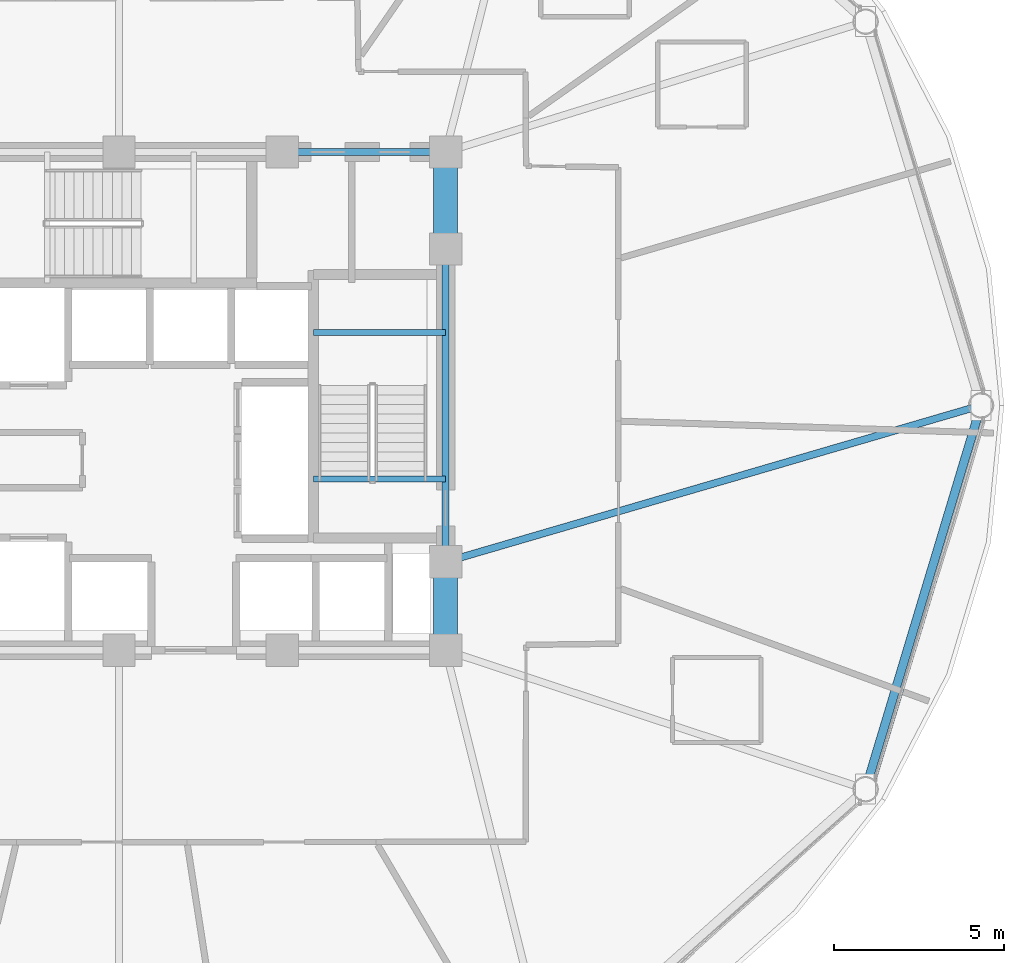
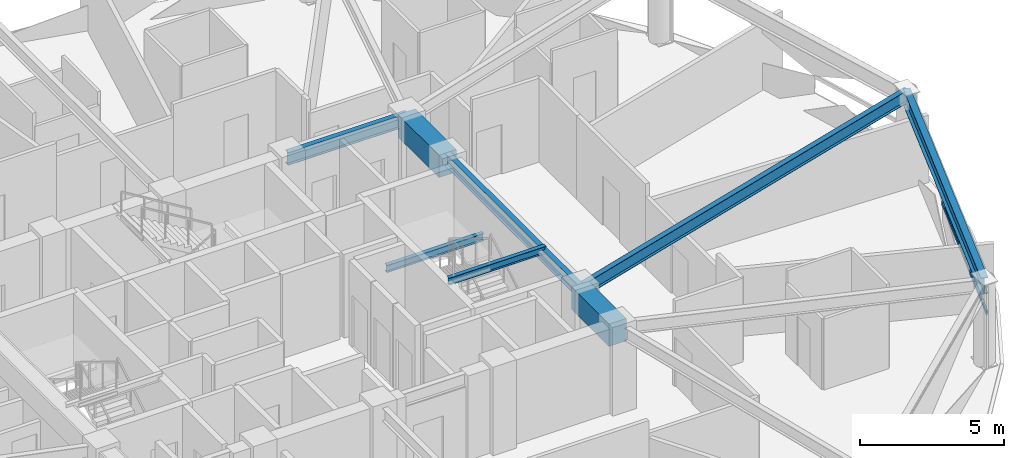
# One storey, part 12 of 31: 8 beams, 1 member, 1 element without a shape of its own.
"""IFC4 building model written with IfcOpenShell, lengths in metres."""

from ifc_helpers import new_model, si_unit, direction, frame, origin, origin_2d, place, context, subcontext, project, spatial, rectangle, hollow_rectangle, i_section, extrude, material, layer, layer_set, material_profile, profile_set, type_object, element, aggregate, save


model = new_model("IFC4")

# Units and contexts
model_context = context("Model", 3, precision=1e-05, world=origin(), true_north=direction((0.0, 1.0)))
body_context = subcontext(model_context, "Body", "Model", "MODEL_VIEW")
ifc_project = project(units=[si_unit("LENGTHUNIT", "METRE"), si_unit("AREAUNIT", "SQUARE_METRE"), si_unit("VOLUMEUNIT", "CUBIC_METRE"), si_unit("PLANEANGLEUNIT", "RADIAN"), si_unit("MASSUNIT", "GRAM", prefix="KILO")], contexts=[model_context])

# Site, building, storey
site_placement = place(None, origin())
site = spatial("IfcSite", under=ifc_project, at=site_placement, CompositionType="ELEMENT")
building_placement = place(site_placement, origin())
building = spatial("IfcBuilding", under=site, at=building_placement, Name="Vantalir Tower", CompositionType="ELEMENT")
storey_placement = place(building_placement, frame((0.0, 0.0, 115.949951171875)))
storey = spatial("IfcBuildingStorey", under=building, at=storey_placement, Name="L28", CompositionType="ELEMENT", Elevation=115.949951171875)

# Beams
ifc_material_1 = material(Name="Concrete C60/75", Category="concrete")
ifc_material_profile_1 = material_profile(ifc_material_1, rectangle(XDim=0.699951171875, YDim=0.949951171875, at=origin_2d()), Name="Concrete C60/75")
ifc_profile_set_1 = profile_set([ifc_material_profile_1], Name="Concrete C60/75")
beam_type_1 = type_object("IfcBeamType", Name="BM-CB-700x950", PredefinedType="USERDEFINED", material=ifc_profile_set_1)
beam_1_placement = place(storey_placement, frame((41.10009765625, 17.800048828125, 3.094970703125), z_axis=(0.0, 1.0, 0.0), x_axis=(-1.0, 0.0, 0.0)))
element("IfcBeam", 1, at=beam_1_placement, inside=storey, type_object=beam_type_1, Name="L28 Core Coupling Girder 05", ObjectType="GIRDER", PredefinedType="USERDEFINED", context=body_context, shape_type="SweptSolid", body=[
    extrude(rectangle(XDim=0.699951171875, YDim=0.949951171875, at=origin_2d()), origin(), (0.0, 0.0, 1.0), 2.599853515625),
])
beam_2_placement = place(storey_placement, frame((41.10009765625, 29.60009765625, 3.094970703125), z_axis=(0.0, 1.0, 0.0), x_axis=(-1.0, 0.0, 0.0)))
element("IfcBeam", 2, at=beam_2_placement, inside=storey, type_object=beam_type_1, Name="L28 Core Coupling Girder 07", ObjectType="GIRDER", PredefinedType="USERDEFINED", context=body_context, shape_type="SweptSolid", body=[
    extrude(rectangle(XDim=0.699951171875, YDim=0.949951171875, at=origin_2d()), origin(), (0.0, 0.0, 1.0), 2.849853515625),
])
ifc_material_2 = material(Name="Steel S355", Category="steel")
ifc_material_profile_2 = material_profile(ifc_material_2, i_section(OverallWidth=0.166015625, OverallDepth=0.306884765625, WebThickness=0.006591796875, FlangeThickness=0.01171875, at=origin_2d()), Name="Steel S355")
ifc_profile_set_2 = profile_set([ifc_material_profile_2], Name="Steel S355")
beam_type_2 = type_object("IfcBeamType", Name="BM-JS-305x165", PredefinedType="JOIST", material=ifc_profile_set_2)
for number, where, z_axis, x_axis, name in (
    (3, (37.2099609375, 22.8349609375, 3.59716796875), (1.0, 0.0, 0.0), (0.0, 1.0, 0.0), "L29 Stair ST2 Well Nosing Trimmer Beam"),
    (4, (37.2099609375, 27.14501953125, 1.52197265625), (1.0, 0.0, 0.0), (0.0, 1.0, 0.0), "L28 Stair ST2 Half-Landing Support Beam"),
):
    element("IfcBeam", number, at=place(storey_placement, frame(where, z_axis=z_axis, x_axis=x_axis)), inside=storey, type_object=beam_type_2, Name=name, PredefinedType="JOIST", context=body_context, shape_type="SweptSolid", body=[
        extrude(i_section(OverallWidth=0.166015625, OverallDepth=0.306884765625, WebThickness=0.006591796875, FlangeThickness=0.01171875, at=origin_2d()), origin(), (0.0, 0.0, 1.0), 3.89013671875),
    ])
ifc_material_profile_3 = material_profile(ifc_material_2, i_section(OverallWidth=0.2109375, OverallDepth=0.5390625, WebThickness=0.01171875, FlangeThickness=0.018798828125, at=origin_2d()), Name="Steel S355")
ifc_profile_set_3 = profile_set([ifc_material_profile_3], Name="Steel S355")
beam_type_3 = type_object("IfcBeamType", Name="BM-RB-533x210", PredefinedType="BEAM", material=ifc_profile_set_3)
beam_3_placement = place(storey_placement, frame((41.10009765625, 20.39990234375, 3.300048828125), z_axis=(0.0, 1.0, 0.0), x_axis=(-1.0, 0.0, 0.0)))
element("IfcBeam", 5, at=beam_3_placement, inside=storey, type_object=beam_type_3, Name="L28 Core Coupling Girder 06", PredefinedType="BEAM", context=body_context, shape_type="SweptSolid", body=[
    extrude(i_section(OverallWidth=0.2109375, OverallDepth=0.5390625, WebThickness=0.01171875, FlangeThickness=0.018798828125, at=origin_2d()), origin(), (0.0, 0.0, 1.0), 9.2001953125),
])
beam_4_placement = place(storey_placement, frame((41.10009765625, 32.449951171875, 3.300048828125), z_axis=(-1.0, 0.0, 0.0), x_axis=(0.0, -1.0, 0.0)))
element("IfcBeam", 6, at=beam_4_placement, inside=storey, type_object=beam_type_3, Name="L28 Core Coupling Girder 08", PredefinedType="BEAM", context=body_context, shape_type="SweptSolid", body=[
    extrude(i_section(OverallWidth=0.2109375, OverallDepth=0.5390625, WebThickness=0.01171875, FlangeThickness=0.018798828125, at=origin_2d()), origin(), (0.0, 0.0, 1.0), 4.800048828125),
])
beam_5_placement = place(storey_placement, frame((56.840087890625, 25.0, 3.300048828125), z_axis=(-0.959847952894, -0.280520778775, 0.0), x_axis=(0.280520778775, -0.959847952894, 0.0)))
element("IfcBeam", 7, at=beam_5_placement, inside=storey, type_object=beam_type_3, Name="L28 Radial Floor Beam 01", PredefinedType="BEAM", context=body_context, shape_type="SweptSolid", body=[
    extrude(i_section(OverallWidth=0.2109375, OverallDepth=0.5390625, WebThickness=0.01171875, FlangeThickness=0.018798828125, at=origin_2d()), origin(), (0.0, 0.0, 1.0), 16.3984375),
])
ifc_material_3 = material(Name="Steel S460", Category="steel")
ifc_material_profile_4 = material_profile(ifc_material_3, i_section(OverallWidth=0.256103515625, OverallDepth=0.693115234375, WebThickness=0.014404296875, FlangeThickness=0.023681640625, at=origin_2d()), Name="Steel S460")
ifc_profile_set_4 = profile_set([ifc_material_profile_4], Name="Steel S460")
beam_type_4 = type_object("IfcBeamType", Name="BM-RG-686x254", PredefinedType="USERDEFINED", material=ifc_profile_set_4)
beam_6_placement = place(storey_placement, frame((53.445068359375, 13.717041015625, 3.22314453125), z_axis=(0.288136680777, 0.957589292542, 0.0), x_axis=(-0.957589292542, 0.288136680777, 0.0)))
element("IfcBeam", 8, at=beam_6_placement, inside=storey, type_object=beam_type_4, Name="L28 Circumferential Ring Girder 12", ObjectType="GIRDER", PredefinedType="USERDEFINED", context=body_context, shape_type="SweptSolid", body=[
    extrude(i_section(OverallWidth=0.256103515625, OverallDepth=0.693115234375, WebThickness=0.014404296875, FlangeThickness=0.023681640625, at=origin_2d()), origin(), (0.0, 0.0, 1.0), 11.78271484375),
])

# Curtain wall, member
ifc_material_4 = material(Name="Champagne-silver PVDF aluminium and double-silver Low-E glass", Category="aluminium")
ifc_layer = layer(ifc_material_4, 0.199951171875)
ifc_layer_set = layer_set([ifc_layer], Name="Champagne-silver PVDF aluminium and double-silver Low-E glass")
curtain_wall_type = type_object("IfcCurtainWallType", Name="CW-DIAMOND-Z2", PredefinedType="USERDEFINED", material=ifc_layer_set)
curtain_wall_placement = place(storey_placement, origin())
curtain_wall = element("IfcCurtainWall", 9, at=curtain_wall_placement, inside=storey, type_object=curtain_wall_type, Name="L28 Quilted Pyramid-Diamond Curtain Wall S12", ObjectType="UNITISED CURTAIN WALL", PredefinedType="USERDEFINED")
ifc_material_5 = material(Name="Champagne-silver PVDF aluminium 6063-T6", Category="aluminium")
ifc_material_profile_5 = material_profile(ifc_material_5, hollow_rectangle(XDim=0.074951171875, YDim=0.159912109375, WallThickness=0.00390625, at=origin_2d()), Name="Champagne-silver PVDF aluminium 6063-T6")
ifc_profile_set_5 = profile_set([ifc_material_profile_5], Name="Champagne-silver PVDF aluminium 6063-T6")
member_type = type_object("IfcMemberType", Name="CWT-160x75", PredefinedType="USERDEFINED", material=ifc_profile_set_5)
member_placement = place(storey_placement, frame((53.737060546875, 14.04296875, 1.78515625), z_axis=(0.291195784047, 0.956663480725, 0.0), x_axis=(-0.956663480725, 0.291195784047, 0.0)))
member = element("IfcMember", 10, at=member_placement, type_object=member_type, Name="CW-L28-S12 Pyramid Fold Ridge Transom", ObjectType="TRANSOM", PredefinedType="USERDEFINED", context=body_context, shape_type="SweptSolid", body=[
    extrude(hollow_rectangle(XDim=0.074951171875, YDim=0.159912109375, WallThickness=0.00390625, at=origin_2d()), origin(), (0.0, 0.0, 1.0), 6.82373046875),
])
aggregate(curtain_wall, [member])

save(model, "model.ifc")
